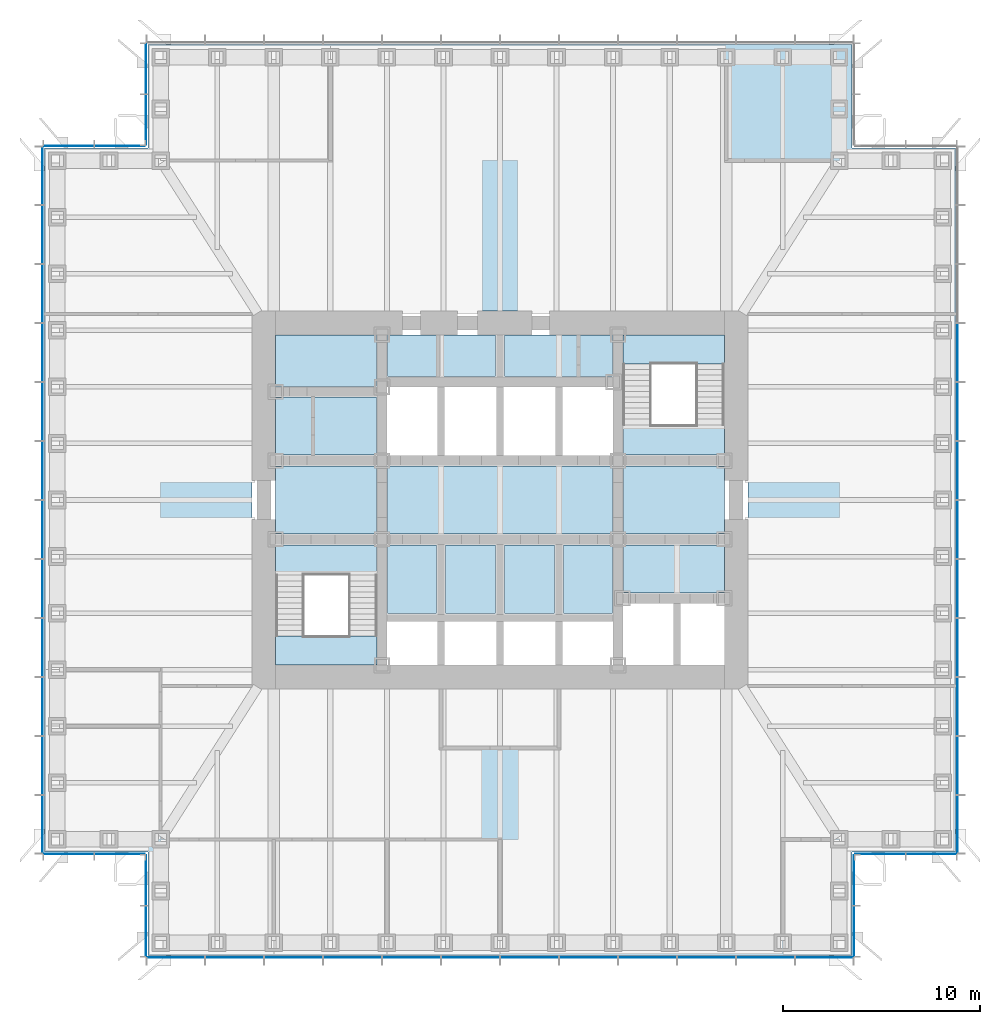
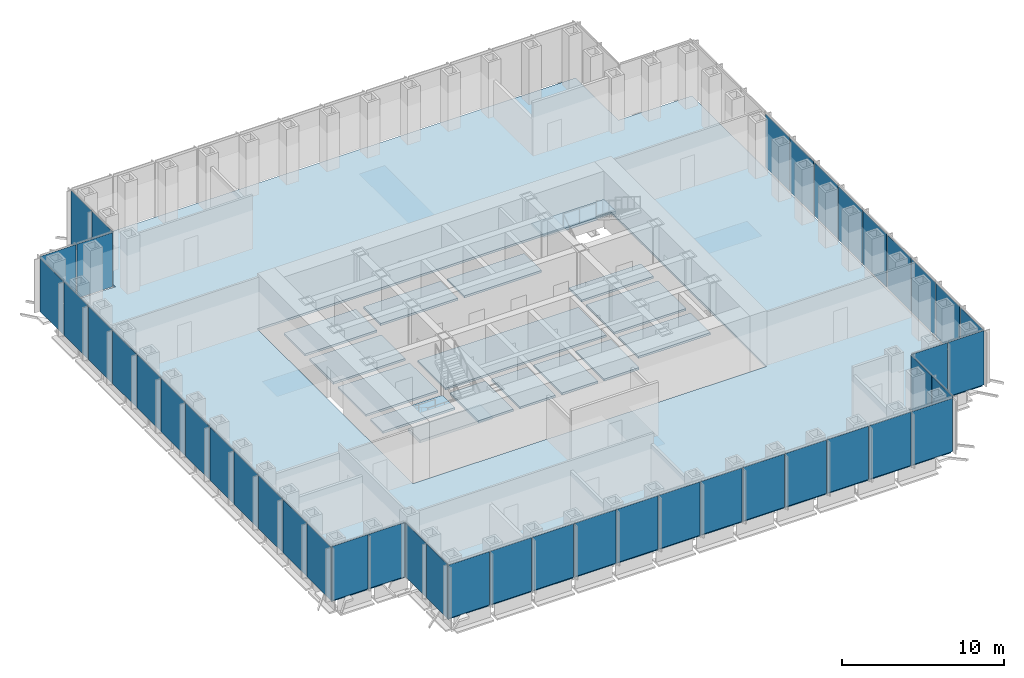
# One storey, part 7 of 17: 45 plates, 17 slabs, 11 elements without a shape of their own.
"""IFC4 building model written with IfcOpenShell, lengths in metres."""

from ifc_helpers import new_model, si_unit, direction, frame, origin, origin_2d, place, context, subcontext, project, spatial, polyline, rectangle, outline, extrude, material, layer, layer_set, type_object, element, aggregate, save


model = new_model("IFC4")

# Units and contexts
model_context = context("Model", 3, precision=1e-05, world=origin(), true_north=direction((0.0, 1.0)))
body_context = subcontext(model_context, "Body", "Model", "MODEL_VIEW")
ifc_project = project(units=[si_unit("LENGTHUNIT", "METRE"), si_unit("AREAUNIT", "SQUARE_METRE"), si_unit("VOLUMEUNIT", "CUBIC_METRE"), si_unit("PLANEANGLEUNIT", "RADIAN"), si_unit("MASSUNIT", "GRAM", prefix="KILO")], contexts=[model_context])

# Site, building, storey
site_placement = place(None, origin())
site = spatial("IfcSite", under=ifc_project, at=site_placement, CompositionType="ELEMENT")
building_placement = place(site_placement, origin())
building = spatial("IfcBuilding", under=site, at=building_placement, Name="Daluyong Arena Tower", CompositionType="ELEMENT")
storey_placement = place(building_placement, frame((0.0, 0.0, 112.300048828125)))
storey = spatial("IfcBuildingStorey", under=building, at=storey_placement, Name="L24", CompositionType="ELEMENT", Elevation=112.300048828125)

# Curtain wall, plates
ifc_material_1 = material(Name="Bronze anodised aluminium and glass", Category="aluminium")
curtain_wall_type_1 = type_object("IfcCurtainWallType", Name="Curtain wall CW2", PredefinedType="USERDEFINED", material=ifc_material_1)
curtain_wall_1_placement = place(storey_placement, origin())
curtain_wall_1 = element("IfcCurtainWall", 1, at=curtain_wall_1_placement, inside=storey, type_object=curtain_wall_type_1, Name="curtain wall L24 S", ObjectType="UNITISED CURTAIN WALL", PredefinedType="USERDEFINED")
ifc_material_2 = material(Name="Tinted double glazed unit", Category="glass")
ifc_layer_1 = layer(ifc_material_2, 0.031982421875)
ifc_layer_set_1 = layer_set([ifc_layer_1], Name="Tinted double glazed unit")
plate_type_1 = type_object("IfcPlateType", Name="CW2 panel 32", PredefinedType="CURTAIN_PANEL", material=ifc_layer_set_1)
plate_1_placement = place(storey_placement, frame((39.52001953125, 56.75, 0.0), z_axis=(0.0, 0.0, 1.0), x_axis=(1.0, 0.0, 0.0)))
plate_1 = element("IfcPlate", 2, at=plate_1_placement, type_object=plate_type_1, Name="curtain wall L24 S panel 1", PredefinedType="CURTAIN_PANEL", context=body_context, shape_type="SweptSolid", body=[
    extrude(rectangle(XDim=2.8798828125, YDim=0.031982421875, at=origin_2d()), origin(), (0.0, 0.0, 1.0), 4.02001953125),
])
plate_2_placement = place(storey_placement, frame((42.5, 56.75, 0.0), z_axis=(0.0, 0.0, 1.0), x_axis=(1.0, 0.0, 0.0)))
plate_2 = element("IfcPlate", 3, at=plate_2_placement, type_object=plate_type_1, Name="curtain wall L24 S panel 2", PredefinedType="CURTAIN_PANEL", context=body_context, shape_type="SweptSolid", body=[
    extrude(rectangle(XDim=2.919921875, YDim=0.031982421875, at=origin_2d()), origin(), (0.0, 0.0, 1.0), 4.02001953125),
])
plate_3_placement = place(storey_placement, frame((45.5, 56.75, 0.0), z_axis=(0.0, 0.0, 1.0), x_axis=(1.0, 0.0, 0.0)))
plate_3 = element("IfcPlate", 4, at=plate_3_placement, type_object=plate_type_1, Name="curtain wall L24 S panel 3", PredefinedType="CURTAIN_PANEL", context=body_context, shape_type="SweptSolid", body=[
    extrude(rectangle(XDim=2.919921875, YDim=0.031982421875, at=origin_2d()), origin(), (0.0, 0.0, 1.0), 4.02001953125),
])
plate_4_placement = place(storey_placement, frame((48.5, 56.75, 0.0), z_axis=(0.0, 0.0, 1.0), x_axis=(1.0, 0.0, 0.0)))
plate_4 = element("IfcPlate", 5, at=plate_4_placement, type_object=plate_type_1, Name="curtain wall L24 S panel 4", PredefinedType="CURTAIN_PANEL", context=body_context, shape_type="SweptSolid", body=[
    extrude(rectangle(XDim=2.919921875, YDim=0.031982421875, at=origin_2d()), origin(), (0.0, 0.0, 1.0), 4.02001953125),
])
plate_5_placement = place(storey_placement, frame((51.5, 56.75, 0.0), z_axis=(0.0, 0.0, 1.0), x_axis=(1.0, 0.0, 0.0)))
plate_5 = element("IfcPlate", 6, at=plate_5_placement, type_object=plate_type_1, Name="curtain wall L24 S panel 5", PredefinedType="CURTAIN_PANEL", context=body_context, shape_type="SweptSolid", body=[
    extrude(rectangle(XDim=2.919921875, YDim=0.031982421875, at=origin_2d()), origin(), (0.0, 0.0, 1.0), 4.02001953125),
])
plate_6_placement = place(storey_placement, frame((54.5, 56.75, 0.0), z_axis=(0.0, 0.0, 1.0), x_axis=(1.0, 0.0, 0.0)))
plate_6 = element("IfcPlate", 7, at=plate_6_placement, type_object=plate_type_1, Name="curtain wall L24 S panel 6", PredefinedType="CURTAIN_PANEL", context=body_context, shape_type="SweptSolid", body=[
    extrude(rectangle(XDim=2.919921875, YDim=0.031982421875, at=origin_2d()), origin(), (0.0, 0.0, 1.0), 4.02001953125),
])
plate_7_placement = place(storey_placement, frame((57.5, 56.75, 0.0), z_axis=(0.0, 0.0, 1.0), x_axis=(1.0, 0.0, 0.0)))
plate_7 = element("IfcPlate", 8, at=plate_7_placement, type_object=plate_type_1, Name="curtain wall L24 S panel 7", PredefinedType="CURTAIN_PANEL", context=body_context, shape_type="SweptSolid", body=[
    extrude(rectangle(XDim=2.919921875, YDim=0.031982421875, at=origin_2d()), origin(), (0.0, 0.0, 1.0), 4.02001953125),
])
plate_8_placement = place(storey_placement, frame((60.5, 56.75, 0.0), z_axis=(0.0, 0.0, 1.0), x_axis=(1.0, 0.0, 0.0)))
plate_8 = element("IfcPlate", 9, at=plate_8_placement, type_object=plate_type_1, Name="curtain wall L24 S panel 8", PredefinedType="CURTAIN_PANEL", context=body_context, shape_type="SweptSolid", body=[
    extrude(rectangle(XDim=2.919921875, YDim=0.031982421875, at=origin_2d()), origin(), (0.0, 0.0, 1.0), 4.02001953125),
])
plate_9_placement = place(storey_placement, frame((63.5, 56.75, 0.0), z_axis=(0.0, 0.0, 1.0), x_axis=(1.0, 0.0, 0.0)))
plate_9 = element("IfcPlate", 10, at=plate_9_placement, type_object=plate_type_1, Name="curtain wall L24 S panel 9", PredefinedType="CURTAIN_PANEL", context=body_context, shape_type="SweptSolid", body=[
    extrude(rectangle(XDim=2.919921875, YDim=0.031982421875, at=origin_2d()), origin(), (0.0, 0.0, 1.0), 4.02001953125),
])
plate_10_placement = place(storey_placement, frame((66.5, 56.75, 0.0), z_axis=(0.0, 0.0, 1.0), x_axis=(1.0, 0.0, 0.0)))
plate_10 = element("IfcPlate", 11, at=plate_10_placement, type_object=plate_type_1, Name="curtain wall L24 S panel 10", PredefinedType="CURTAIN_PANEL", context=body_context, shape_type="SweptSolid", body=[
    extrude(rectangle(XDim=2.919921875, YDim=0.031982421875, at=origin_2d()), origin(), (0.0, 0.0, 1.0), 4.02001953125),
])
plate_11_placement = place(storey_placement, frame((69.5, 56.75, 0.0), z_axis=(0.0, 0.0, 1.0), x_axis=(1.0, 0.0, 0.0)))
plate_11 = element("IfcPlate", 12, at=plate_11_placement, type_object=plate_type_1, Name="curtain wall L24 S panel 11", PredefinedType="CURTAIN_PANEL", context=body_context, shape_type="SweptSolid", body=[
    extrude(rectangle(XDim=2.919921875, YDim=0.031982421875, at=origin_2d()), origin(), (0.0, 0.0, 1.0), 4.02001953125),
])
plate_12_placement = place(storey_placement, frame((72.47998046875, 56.75, 0.0), z_axis=(0.0, 0.0, 1.0), x_axis=(1.0, 0.0, 0.0)))
plate_12 = element("IfcPlate", 13, at=plate_12_placement, type_object=plate_type_1, Name="curtain wall L24 S panel 12", PredefinedType="CURTAIN_PANEL", context=body_context, shape_type="SweptSolid", body=[
    extrude(rectangle(XDim=2.8798828125, YDim=0.031982421875, at=origin_2d()), origin(), (0.0, 0.0, 1.0), 4.02001953125),
])
aggregate(curtain_wall_1, [plate_1, plate_2, plate_3, plate_4, plate_5, plate_6, plate_7, plate_8, plate_9, plate_10, plate_11, plate_12])

curtain_wall_2_placement = place(storey_placement, origin())
curtain_wall_2 = element("IfcCurtainWall", 14, at=curtain_wall_2_placement, inside=storey, type_object=curtain_wall_type_1, Name="curtain wall L24 E", ObjectType="UNITISED CURTAIN WALL", PredefinedType="USERDEFINED")
plate_13_placement = place(storey_placement, frame((79.25, 63.52001953125, 0.0), z_axis=(0.0, 0.0, 1.0), x_axis=(0.0, 1.0, 0.0)))
plate_13 = element("IfcPlate", 15, at=plate_13_placement, type_object=plate_type_1, Name="curtain wall L24 E panel 1", PredefinedType="CURTAIN_PANEL", context=body_context, shape_type="SweptSolid", body=[
    extrude(rectangle(XDim=2.8798828125, YDim=0.031982421875, at=origin_2d()), origin(), (0.0, 0.0, 1.0), 4.02001953125),
])
plate_14_placement = place(storey_placement, frame((79.25, 66.5, 0.0), z_axis=(0.0, 0.0, 1.0), x_axis=(0.0, 1.0, 0.0)))
plate_14 = element("IfcPlate", 16, at=plate_14_placement, type_object=plate_type_1, Name="curtain wall L24 E panel 2", PredefinedType="CURTAIN_PANEL", context=body_context, shape_type="SweptSolid", body=[
    extrude(rectangle(XDim=2.919921875, YDim=0.031982421875, at=origin_2d()), origin(), (0.0, 0.0, 1.0), 4.02001953125),
])
plate_15_placement = place(storey_placement, frame((79.25, 69.5, 0.0), z_axis=(0.0, 0.0, 1.0), x_axis=(0.0, 1.0, 0.0)))
plate_15 = element("IfcPlate", 17, at=plate_15_placement, type_object=plate_type_1, Name="curtain wall L24 E panel 3", PredefinedType="CURTAIN_PANEL", context=body_context, shape_type="SweptSolid", body=[
    extrude(rectangle(XDim=2.919921875, YDim=0.031982421875, at=origin_2d()), origin(), (0.0, 0.0, 1.0), 4.02001953125),
])
plate_16_placement = place(storey_placement, frame((79.25, 72.5, 0.0), z_axis=(0.0, 0.0, 1.0), x_axis=(0.0, 1.0, 0.0)))
plate_16 = element("IfcPlate", 18, at=plate_16_placement, type_object=plate_type_1, Name="curtain wall L24 E panel 4", PredefinedType="CURTAIN_PANEL", context=body_context, shape_type="SweptSolid", body=[
    extrude(rectangle(XDim=2.919921875, YDim=0.031982421875, at=origin_2d()), origin(), (0.0, 0.0, 1.0), 4.02001953125),
])
plate_17_placement = place(storey_placement, frame((79.25, 75.5, 0.0), z_axis=(0.0, 0.0, 1.0), x_axis=(0.0, 1.0, 0.0)))
plate_17 = element("IfcPlate", 19, at=plate_17_placement, type_object=plate_type_1, Name="curtain wall L24 E panel 5", PredefinedType="CURTAIN_PANEL", context=body_context, shape_type="SweptSolid", body=[
    extrude(rectangle(XDim=2.919921875, YDim=0.031982421875, at=origin_2d()), origin(), (0.0, 0.0, 1.0), 4.02001953125),
])
plate_18_placement = place(storey_placement, frame((79.25, 78.5, 0.0), z_axis=(0.0, 0.0, 1.0), x_axis=(0.0, 1.0, 0.0)))
plate_18 = element("IfcPlate", 20, at=plate_18_placement, type_object=plate_type_1, Name="curtain wall L24 E panel 6", PredefinedType="CURTAIN_PANEL", context=body_context, shape_type="SweptSolid", body=[
    extrude(rectangle(XDim=2.919921875, YDim=0.031982421875, at=origin_2d()), origin(), (0.0, 0.0, 1.0), 4.02001953125),
])
plate_19_placement = place(storey_placement, frame((79.25, 81.5, 0.0), z_axis=(0.0, 0.0, 1.0), x_axis=(0.0, 1.0, 0.0)))
plate_19 = element("IfcPlate", 21, at=plate_19_placement, type_object=plate_type_1, Name="curtain wall L24 E panel 7", PredefinedType="CURTAIN_PANEL", context=body_context, shape_type="SweptSolid", body=[
    extrude(rectangle(XDim=2.919921875, YDim=0.031982421875, at=origin_2d()), origin(), (0.0, 0.0, 1.0), 4.02001953125),
])
plate_20_placement = place(storey_placement, frame((79.25, 84.5, 0.0), z_axis=(0.0, 0.0, 1.0), x_axis=(0.0, 1.0, 0.0)))
plate_20 = element("IfcPlate", 22, at=plate_20_placement, type_object=plate_type_1, Name="curtain wall L24 E panel 8", PredefinedType="CURTAIN_PANEL", context=body_context, shape_type="SweptSolid", body=[
    extrude(rectangle(XDim=2.919921875, YDim=0.031982421875, at=origin_2d()), origin(), (0.0, 0.0, 1.0), 4.02001953125),
])
plate_21_placement = place(storey_placement, frame((79.25, 87.5, 0.0), z_axis=(0.0, 0.0, 1.0), x_axis=(0.0, 1.0, 0.0)))
plate_21 = element("IfcPlate", 23, at=plate_21_placement, type_object=plate_type_1, Name="curtain wall L24 E panel 9", PredefinedType="CURTAIN_PANEL", context=body_context, shape_type="SweptSolid", body=[
    extrude(rectangle(XDim=2.919921875, YDim=0.031982421875, at=origin_2d()), origin(), (0.0, 0.0, 1.0), 4.02001953125),
])
aggregate(curtain_wall_2, [plate_13, plate_14, plate_15, plate_16, plate_17, plate_18, plate_19, plate_20, plate_21])

curtain_wall_3_placement = place(storey_placement, origin())
curtain_wall_3 = element("IfcCurtainWall", 24, at=curtain_wall_3_placement, inside=storey, type_object=curtain_wall_type_1, Name="curtain wall L24 W", ObjectType="UNITISED CURTAIN WALL", PredefinedType="USERDEFINED")
plate_22_placement = place(storey_placement, frame((32.75, 96.47998046875, 0.0), z_axis=(0.0, 0.0, 1.0), x_axis=(0.0, -1.0, 0.0)))
plate_22 = element("IfcPlate", 25, at=plate_22_placement, type_object=plate_type_1, Name="curtain wall L24 W panel 1", PredefinedType="CURTAIN_PANEL", context=body_context, shape_type="SweptSolid", body=[
    extrude(rectangle(XDim=2.8798828125, YDim=0.031982421875, at=origin_2d()), origin(), (0.0, 0.0, 1.0), 4.02001953125),
])
plate_23_placement = place(storey_placement, frame((32.75, 93.5, 0.0), z_axis=(0.0, 0.0, 1.0), x_axis=(0.0, -1.0, 0.0)))
plate_23 = element("IfcPlate", 26, at=plate_23_placement, type_object=plate_type_1, Name="curtain wall L24 W panel 2", PredefinedType="CURTAIN_PANEL", context=body_context, shape_type="SweptSolid", body=[
    extrude(rectangle(XDim=2.919921875, YDim=0.031982421875, at=origin_2d()), origin(), (0.0, 0.0, 1.0), 4.02001953125),
])
plate_24_placement = place(storey_placement, frame((32.75, 90.5, 0.0), z_axis=(0.0, 0.0, 1.0), x_axis=(0.0, -1.0, 0.0)))
plate_24 = element("IfcPlate", 27, at=plate_24_placement, type_object=plate_type_1, Name="curtain wall L24 W panel 3", PredefinedType="CURTAIN_PANEL", context=body_context, shape_type="SweptSolid", body=[
    extrude(rectangle(XDim=2.919921875, YDim=0.031982421875, at=origin_2d()), origin(), (0.0, 0.0, 1.0), 4.02001953125),
])
plate_25_placement = place(storey_placement, frame((32.75, 87.5, 0.0), z_axis=(0.0, 0.0, 1.0), x_axis=(0.0, -1.0, 0.0)))
plate_25 = element("IfcPlate", 28, at=plate_25_placement, type_object=plate_type_1, Name="curtain wall L24 W panel 4", PredefinedType="CURTAIN_PANEL", context=body_context, shape_type="SweptSolid", body=[
    extrude(rectangle(XDim=2.919921875, YDim=0.031982421875, at=origin_2d()), origin(), (0.0, 0.0, 1.0), 4.02001953125),
])
plate_26_placement = place(storey_placement, frame((32.75, 84.5, 0.0), z_axis=(0.0, 0.0, 1.0), x_axis=(0.0, -1.0, 0.0)))
plate_26 = element("IfcPlate", 29, at=plate_26_placement, type_object=plate_type_1, Name="curtain wall L24 W panel 5", PredefinedType="CURTAIN_PANEL", context=body_context, shape_type="SweptSolid", body=[
    extrude(rectangle(XDim=2.919921875, YDim=0.031982421875, at=origin_2d()), origin(), (0.0, 0.0, 1.0), 4.02001953125),
])
plate_27_placement = place(storey_placement, frame((32.75, 81.5, 0.0), z_axis=(0.0, 0.0, 1.0), x_axis=(0.0, -1.0, 0.0)))
plate_27 = element("IfcPlate", 30, at=plate_27_placement, type_object=plate_type_1, Name="curtain wall L24 W panel 6", PredefinedType="CURTAIN_PANEL", context=body_context, shape_type="SweptSolid", body=[
    extrude(rectangle(XDim=2.919921875, YDim=0.031982421875, at=origin_2d()), origin(), (0.0, 0.0, 1.0), 4.02001953125),
])
plate_28_placement = place(storey_placement, frame((32.75, 78.5, 0.0), z_axis=(0.0, 0.0, 1.0), x_axis=(0.0, -1.0, 0.0)))
plate_28 = element("IfcPlate", 31, at=plate_28_placement, type_object=plate_type_1, Name="curtain wall L24 W panel 7", PredefinedType="CURTAIN_PANEL", context=body_context, shape_type="SweptSolid", body=[
    extrude(rectangle(XDim=2.919921875, YDim=0.031982421875, at=origin_2d()), origin(), (0.0, 0.0, 1.0), 4.02001953125),
])
plate_29_placement = place(storey_placement, frame((32.75, 75.5, 0.0), z_axis=(0.0, 0.0, 1.0), x_axis=(0.0, -1.0, 0.0)))
plate_29 = element("IfcPlate", 32, at=plate_29_placement, type_object=plate_type_1, Name="curtain wall L24 W panel 8", PredefinedType="CURTAIN_PANEL", context=body_context, shape_type="SweptSolid", body=[
    extrude(rectangle(XDim=2.919921875, YDim=0.031982421875, at=origin_2d()), origin(), (0.0, 0.0, 1.0), 4.02001953125),
])
plate_30_placement = place(storey_placement, frame((32.75, 72.5, 0.0), z_axis=(0.0, 0.0, 1.0), x_axis=(0.0, -1.0, 0.0)))
plate_30 = element("IfcPlate", 33, at=plate_30_placement, type_object=plate_type_1, Name="curtain wall L24 W panel 9", PredefinedType="CURTAIN_PANEL", context=body_context, shape_type="SweptSolid", body=[
    extrude(rectangle(XDim=2.919921875, YDim=0.031982421875, at=origin_2d()), origin(), (0.0, 0.0, 1.0), 4.02001953125),
])
plate_31_placement = place(storey_placement, frame((32.75, 69.5, 0.0), z_axis=(0.0, 0.0, 1.0), x_axis=(0.0, -1.0, 0.0)))
plate_31 = element("IfcPlate", 34, at=plate_31_placement, type_object=plate_type_1, Name="curtain wall L24 W panel 10", PredefinedType="CURTAIN_PANEL", context=body_context, shape_type="SweptSolid", body=[
    extrude(rectangle(XDim=2.919921875, YDim=0.031982421875, at=origin_2d()), origin(), (0.0, 0.0, 1.0), 4.02001953125),
])
plate_32_placement = place(storey_placement, frame((32.75, 66.5, 0.0), z_axis=(0.0, 0.0, 1.0), x_axis=(0.0, -1.0, 0.0)))
plate_32 = element("IfcPlate", 35, at=plate_32_placement, type_object=plate_type_1, Name="curtain wall L24 W panel 11", PredefinedType="CURTAIN_PANEL", context=body_context, shape_type="SweptSolid", body=[
    extrude(rectangle(XDim=2.919921875, YDim=0.031982421875, at=origin_2d()), origin(), (0.0, 0.0, 1.0), 4.02001953125),
])
plate_33_placement = place(storey_placement, frame((32.75, 63.52001953125, 0.0), z_axis=(0.0, 0.0, 1.0), x_axis=(0.0, -1.0, 0.0)))
plate_33 = element("IfcPlate", 36, at=plate_33_placement, type_object=plate_type_1, Name="curtain wall L24 W panel 12", PredefinedType="CURTAIN_PANEL", context=body_context, shape_type="SweptSolid", body=[
    extrude(rectangle(XDim=2.8798828125, YDim=0.031982421875, at=origin_2d()), origin(), (0.0, 0.0, 1.0), 4.02001953125),
])
aggregate(curtain_wall_3, [plate_22, plate_23, plate_24, plate_25, plate_26, plate_27, plate_28, plate_29, plate_30, plate_31, plate_32, plate_33])

ifc_material_3 = material(Name="Bronze anodised aluminium and glass", Category="aluminium")
curtain_wall_type_2 = type_object("IfcCurtainWallType", Name="Curtain wall CW7", PredefinedType="USERDEFINED", material=ifc_material_3)
curtain_wall_4_placement = place(storey_placement, origin())
curtain_wall_4 = element("IfcCurtainWall", 37, at=curtain_wall_4_placement, inside=storey, type_object=curtain_wall_type_2, Name="curtain wall L24 SE-E", ObjectType="UNITISED CURTAIN WALL", PredefinedType="USERDEFINED")
ifc_material_4 = material(Name="Tinted double glazed unit", Category="glass")
ifc_layer_2 = layer(ifc_material_4, 0.028076171875)
ifc_layer_set_2 = layer_set([ifc_layer_2], Name="Tinted double glazed unit")
plate_type_2 = type_object("IfcPlateType", Name="CW7 panel 28", PredefinedType="CURTAIN_PANEL", material=ifc_layer_set_2)
plate_34_placement = place(storey_placement, frame((74.0, 58.077392578125, 0.0), z_axis=(0.0, 0.0, 1.0), x_axis=(0.0, 1.0, 0.0)))
plate_34 = element("IfcPlate", 38, at=plate_34_placement, type_object=plate_type_2, Name="curtain wall L24 SE-E panel 1", PredefinedType="CURTAIN_PANEL", context=body_context, shape_type="SweptSolid", body=[
    extrude(rectangle(XDim=2.534912109375, YDim=0.028076171875, at=origin_2d()), origin(), (0.0, 0.0, 1.0), 4.080078125),
])
plate_35_placement = place(storey_placement, frame((74.0, 60.672607421875, 0.0), z_axis=(0.0, 0.0, 1.0), x_axis=(0.0, 1.0, 0.0)))
plate_35 = element("IfcPlate", 39, at=plate_35_placement, type_object=plate_type_2, Name="curtain wall L24 SE-E panel 2", PredefinedType="CURTAIN_PANEL", context=body_context, shape_type="SweptSolid", body=[
    extrude(rectangle(XDim=2.534912109375, YDim=0.028076171875, at=origin_2d()), origin(), (0.0, 0.0, 1.0), 4.080078125),
])
aggregate(curtain_wall_4, [plate_34, plate_35])

curtain_wall_5_placement = place(storey_placement, origin())
curtain_wall_5 = element("IfcCurtainWall", 40, at=curtain_wall_5_placement, inside=storey, type_object=curtain_wall_type_2, Name="curtain wall L24 SE-S", ObjectType="UNITISED CURTAIN WALL", PredefinedType="USERDEFINED")
plate_36_placement = place(storey_placement, frame((75.327392578125, 62.0, 0.0), z_axis=(0.0, 0.0, 1.0), x_axis=(1.0, 0.0, 0.0)))
plate_36 = element("IfcPlate", 41, at=plate_36_placement, type_object=plate_type_2, Name="curtain wall L24 SE-S panel 1", PredefinedType="CURTAIN_PANEL", context=body_context, shape_type="SweptSolid", body=[
    extrude(rectangle(XDim=2.534912109375, YDim=0.028076171875, at=origin_2d()), origin(), (0.0, 0.0, 1.0), 4.080078125),
])
plate_37_placement = place(storey_placement, frame((77.922607421875, 62.0, 0.0), z_axis=(0.0, 0.0, 1.0), x_axis=(1.0, 0.0, 0.0)))
plate_37 = element("IfcPlate", 42, at=plate_37_placement, type_object=plate_type_2, Name="curtain wall L24 SE-S panel 2", PredefinedType="CURTAIN_PANEL", context=body_context, shape_type="SweptSolid", body=[
    extrude(rectangle(XDim=2.534912109375, YDim=0.028076171875, at=origin_2d()), origin(), (0.0, 0.0, 1.0), 4.080078125),
])
aggregate(curtain_wall_5, [plate_36, plate_37])

curtain_wall_6_placement = place(storey_placement, origin())
curtain_wall_6 = element("IfcCurtainWall", 43, at=curtain_wall_6_placement, inside=storey, type_object=curtain_wall_type_2, Name="curtain wall L24 NW-W", ObjectType="UNITISED CURTAIN WALL", PredefinedType="USERDEFINED")
plate_38_placement = place(storey_placement, frame((38.0, 101.922607421875, 0.0), z_axis=(0.0, 0.0, 1.0), x_axis=(0.0, -1.0, 0.0)))
plate_38 = element("IfcPlate", 44, at=plate_38_placement, type_object=plate_type_2, Name="curtain wall L24 NW-W panel 1", PredefinedType="CURTAIN_PANEL", context=body_context, shape_type="SweptSolid", body=[
    extrude(rectangle(XDim=2.534912109375, YDim=0.028076171875, at=origin_2d()), origin(), (0.0, 0.0, 1.0), 4.080078125),
])
plate_39_placement = place(storey_placement, frame((38.0, 99.327392578125, 0.0), z_axis=(0.0, 0.0, 1.0), x_axis=(0.0, -1.0, 0.0)))
plate_39 = element("IfcPlate", 45, at=plate_39_placement, type_object=plate_type_2, Name="curtain wall L24 NW-W panel 2", PredefinedType="CURTAIN_PANEL", context=body_context, shape_type="SweptSolid", body=[
    extrude(rectangle(XDim=2.534912109375, YDim=0.028076171875, at=origin_2d()), origin(), (0.0, 0.0, 1.0), 4.080078125),
])
aggregate(curtain_wall_6, [plate_38, plate_39])

curtain_wall_7_placement = place(storey_placement, origin())
curtain_wall_7 = element("IfcCurtainWall", 46, at=curtain_wall_7_placement, inside=storey, type_object=curtain_wall_type_2, Name="curtain wall L24 NW-N", ObjectType="UNITISED CURTAIN WALL", PredefinedType="USERDEFINED")
plate_40_placement = place(storey_placement, frame((36.672607421875, 98.0, 0.0), z_axis=(0.0, 0.0, 1.0), x_axis=(-1.0, 0.0, 0.0)))
plate_40 = element("IfcPlate", 47, at=plate_40_placement, type_object=plate_type_2, Name="curtain wall L24 NW-N panel 1", PredefinedType="CURTAIN_PANEL", context=body_context, shape_type="SweptSolid", body=[
    extrude(rectangle(XDim=2.534912109375, YDim=0.028076171875, at=origin_2d()), origin(), (0.0, 0.0, 1.0), 4.080078125),
])
plate_41_placement = place(storey_placement, frame((34.077392578125, 98.0, 0.0), z_axis=(0.0, 0.0, 1.0), x_axis=(-1.0, 0.0, 0.0)))
plate_41 = element("IfcPlate", 48, at=plate_41_placement, type_object=plate_type_2, Name="curtain wall L24 NW-N panel 2", PredefinedType="CURTAIN_PANEL", context=body_context, shape_type="SweptSolid", body=[
    extrude(rectangle(XDim=2.534912109375, YDim=0.028076171875, at=origin_2d()), origin(), (0.0, 0.0, 1.0), 4.080078125),
])
aggregate(curtain_wall_7, [plate_40, plate_41])

curtain_wall_8_placement = place(storey_placement, origin())
curtain_wall_8 = element("IfcCurtainWall", 49, at=curtain_wall_8_placement, inside=storey, type_object=curtain_wall_type_2, Name="curtain wall L24 SW-S", ObjectType="UNITISED CURTAIN WALL", PredefinedType="USERDEFINED")
plate_42_placement = place(storey_placement, frame((34.077392578125, 62.0, 0.0), z_axis=(0.0, 0.0, 1.0), x_axis=(1.0, 0.0, 0.0)))
plate_42 = element("IfcPlate", 50, at=plate_42_placement, type_object=plate_type_2, Name="curtain wall L24 SW-S panel 1", PredefinedType="CURTAIN_PANEL", context=body_context, shape_type="SweptSolid", body=[
    extrude(rectangle(XDim=2.534912109375, YDim=0.028076171875, at=origin_2d()), origin(), (0.0, 0.0, 1.0), 4.080078125),
])
plate_43_placement = place(storey_placement, frame((36.672607421875, 62.0, 0.0), z_axis=(0.0, 0.0, 1.0), x_axis=(1.0, 0.0, 0.0)))
plate_43 = element("IfcPlate", 51, at=plate_43_placement, type_object=plate_type_2, Name="curtain wall L24 SW-S panel 2", PredefinedType="CURTAIN_PANEL", context=body_context, shape_type="SweptSolid", body=[
    extrude(rectangle(XDim=2.534912109375, YDim=0.028076171875, at=origin_2d()), origin(), (0.0, 0.0, 1.0), 4.080078125),
])
aggregate(curtain_wall_8, [plate_42, plate_43])

curtain_wall_9_placement = place(storey_placement, origin())
curtain_wall_9 = element("IfcCurtainWall", 52, at=curtain_wall_9_placement, inside=storey, type_object=curtain_wall_type_2, Name="curtain wall L24 SW-W", ObjectType="UNITISED CURTAIN WALL", PredefinedType="USERDEFINED")
plate_44_placement = place(storey_placement, frame((38.0, 60.672607421875, 0.0), z_axis=(0.0, 0.0, 1.0), x_axis=(0.0, -1.0, 0.0)))
plate_44 = element("IfcPlate", 53, at=plate_44_placement, type_object=plate_type_2, Name="curtain wall L24 SW-W panel 1", PredefinedType="CURTAIN_PANEL", context=body_context, shape_type="SweptSolid", body=[
    extrude(rectangle(XDim=2.534912109375, YDim=0.028076171875, at=origin_2d()), origin(), (0.0, 0.0, 1.0), 4.080078125),
])
plate_45_placement = place(storey_placement, frame((38.0, 58.077392578125, 0.0), z_axis=(0.0, 0.0, 1.0), x_axis=(0.0, -1.0, 0.0)))
plate_45 = element("IfcPlate", 54, at=plate_45_placement, type_object=plate_type_2, Name="curtain wall L24 SW-W panel 2", PredefinedType="CURTAIN_PANEL", context=body_context, shape_type="SweptSolid", body=[
    extrude(rectangle(XDim=2.534912109375, YDim=0.028076171875, at=origin_2d()), origin(), (0.0, 0.0, 1.0), 4.080078125),
])
aggregate(curtain_wall_9, [plate_44, plate_45])

# Stair, slab
ifc_material_5 = material(Name="Concrete fc' 35 MPa", Category="concrete")
stair_type = type_object("IfcStairType", Name="Core exit stair", PredefinedType="HALF_TURN_STAIR", material=ifc_material_5)
stair_1_placement = place(storey_placement, origin())
stair_1 = element("IfcStair", 55, at=stair_1_placement, inside=storey, type_object=stair_type, Name="exit stair A L24", PredefinedType="HALF_TURN_STAIR")
ifc_material_6 = material(Name="Concrete fc' 35 MPa", Category="concrete")
ifc_layer_3 = layer(ifc_material_6, 0.199951171875)
ifc_layer_set_3 = layer_set([ifc_layer_3], Name="Concrete fc' 35 MPa")
slab_type_1 = type_object("IfcSlabType", Name="Stair landing 200", PredefinedType="LANDING", material=ifc_layer_set_3)
slab_1_placement = place(storey_placement, frame((0.0, 0.0, 1.89990234375)))
slab_1 = element("IfcSlab", 56, at=slab_1_placement, type_object=slab_type_1, Name="STA landing 1", PredefinedType="LANDING", context=body_context, shape_type="SweptSolid", body=[
    extrude(outline(polyline([(44.60009765625, 71.60009765625), (49.75, 71.60009765625), (49.75, 73.094970703125), (44.60009765625, 73.094970703125), (44.60009765625, 71.60009765625)])), origin(), (0.0, 0.0, 1.0), 0.199951171875),
])
aggregate(stair_1, [slab_1])

stair_2_placement = place(storey_placement, origin())
stair_2 = element("IfcStair", 57, at=stair_2_placement, inside=storey, type_object=stair_type, Name="exit stair B L24", PredefinedType="HALF_TURN_STAIR")
slab_2_placement = place(storey_placement, frame((0.0, 0.0, 1.89990234375)))
slab_2 = element("IfcSlab", 58, at=slab_2_placement, type_object=slab_type_1, Name="STB landing 1", PredefinedType="LANDING", context=body_context, shape_type="SweptSolid", body=[
    extrude(outline(polyline([(62.25, 86.905029296875), (67.39990234375, 86.905029296875), (67.39990234375, 88.39990234375), (62.25, 88.39990234375), (62.25, 86.905029296875)])), origin(), (0.0, 0.0, 1.0), 0.199951171875),
])
aggregate(stair_2, [slab_2])

# Slabs
ifc_material_7 = material(Name="Concrete fc' 35 MPa", Category="concrete")
ifc_layer_4 = layer(ifc_material_7, 0.159912109375)
ifc_layer_set_4 = layer_set([ifc_layer_4], Name="Concrete fc' 35 MPa")
slab_type_2 = type_object("IfcSlabType", Name="Tower floor slab 160", PredefinedType="FLOOR", material=ifc_layer_set_4)
slab_3_placement = place(storey_placement, frame((0.0, 0.0, -0.16015625)))
element("IfcSlab", 59, at=slab_3_placement, inside=storey, type_object=slab_type_2, Name="floor L24 part 1", PredefinedType="FLOOR", context=body_context, shape_type="SweptSolid", body=[
    extrude(outline(polyline([(49.72509765625, 76.175048828125), (49.72509765625, 77.72509765625), (44.60009765625, 77.72509765625), (44.60009765625, 76.175048828125), (49.72509765625, 76.175048828125)])), origin(), (0.0, 0.0, 1.0), 0.16015625),
])
slab_4_placement = place(storey_placement, frame((0.0, 0.0, -0.16015625)))
element("IfcSlab", 60, at=slab_4_placement, inside=storey, type_object=slab_type_2, Name="floor L24 part 2", PredefinedType="FLOOR", context=body_context, shape_type="SweptSolid", body=[
    extrude(outline(polyline([(44.60009765625, 78.27490234375), (49.72509765625, 78.27490234375), (49.72509765625, 81.72509765625), (44.60009765625, 81.72509765625), (44.60009765625, 78.27490234375)])), origin(), (0.0, 0.0, 1.0), 0.16015625),
])
slab_5_placement = place(storey_placement, frame((0.0, 0.0, -0.16015625)))
element("IfcSlab", 61, at=slab_5_placement, inside=storey, type_object=slab_type_2, Name="floor L24 part 3", PredefinedType="FLOOR", context=body_context, shape_type="SweptSolid", body=[
    extrude(outline(polyline([(44.60009765625, 82.27490234375), (49.72509765625, 82.27490234375), (49.72509765625, 85.22509765625), (44.60009765625, 85.22509765625), (44.60009765625, 82.27490234375)])), origin(), (0.0, 0.0, 1.0), 0.16015625),
])
slab_6_placement = place(storey_placement, frame((0.0, 0.0, -0.16015625)))
element("IfcSlab", 62, at=slab_6_placement, inside=storey, type_object=slab_type_2, Name="floor L24 part 4", PredefinedType="FLOOR", context=body_context, shape_type="SweptSolid", body=[
    extrude(outline(polyline([(49.72509765625, 88.39990234375), (44.60009765625, 88.39990234375), (44.60009765625, 85.77490234375), (49.72509765625, 85.77490234375), (49.72509765625, 88.39990234375)])), origin(), (0.0, 0.0, 1.0), 0.16015625),
])
slab_7_placement = place(storey_placement, frame((0.0, 0.0, -0.16015625)))
element("IfcSlab", 63, at=slab_7_placement, inside=storey, type_object=slab_type_2, Name="floor L24 part 5", PredefinedType="FLOOR", context=body_context, shape_type="SweptSolid", body=[
    extrude(outline(polyline([(52.77490234375, 77.72509765625), (50.27490234375, 77.72509765625), (50.27490234375, 74.22509765625), (52.77490234375, 74.22509765625), (52.77490234375, 77.72509765625)])), origin(), (0.0, 0.0, 1.0), 0.16015625),
])
slab_8_placement = place(storey_placement, frame((0.0, 0.0, -0.16015625)))
element("IfcSlab", 64, at=slab_8_placement, inside=storey, type_object=slab_type_2, Name="floor L24 part 6", PredefinedType="FLOOR", context=body_context, shape_type="SweptSolid", body=[
    extrude(outline(polyline([(55.77490234375, 88.39990234375), (50.27490234375, 88.39990234375), (50.27490234375, 86.27490234375), (55.77490234375, 86.27490234375), (55.77490234375, 88.39990234375)])), origin(), (0.0, 0.0, 1.0), 0.16015625),
])
slab_9_placement = place(storey_placement, frame((0.0, 0.0, -0.16015625)))
element("IfcSlab", 65, at=slab_9_placement, inside=storey, type_object=slab_type_2, Name="floor L24 part 7", PredefinedType="FLOOR", context=body_context, shape_type="SweptSolid", body=[
    extrude(outline(polyline([(55.77490234375, 77.72509765625), (53.22509765625, 77.72509765625), (53.22509765625, 74.22509765625), (55.77490234375, 74.22509765625), (55.77490234375, 77.72509765625)])), origin(), (0.0, 0.0, 1.0), 0.16015625),
])
slab_10_placement = place(storey_placement, frame((0.0, 0.0, -0.16015625)))
element("IfcSlab", 66, at=slab_10_placement, inside=storey, type_object=slab_type_2, Name="floor L24 part 8", PredefinedType="FLOOR", context=body_context, shape_type="SweptSolid", body=[
    extrude(outline(polyline([(38.10009765625, 62.10009765625), (38.10009765625, 56.85009765625), (73.89990234375, 56.85009765625), (73.89990234375, 62.10009765625), (79.14990234375, 62.10009765625), (79.14990234375, 97.89990234375), (73.89990234375, 97.89990234375), (73.89990234375, 103.14990234375), (38.10009765625, 103.14990234375), (38.10009765625, 97.89990234375), (32.85009765625, 97.89990234375), (32.85009765625, 62.10009765625), (38.10009765625, 62.10009765625)]), holes=[polyline([(68.60009765625, 89.60009765625), (68.60009765625, 70.39990234375), (43.39990234375, 70.39990234375), (43.39990234375, 89.60009765625), (68.60009765625, 89.60009765625)])]), origin(), (0.0, 0.0, 1.0), 0.16015625),
])
slab_11_placement = place(storey_placement, frame((0.0, 0.0, -0.16015625)))
element("IfcSlab", 67, at=slab_11_placement, inside=storey, type_object=slab_type_2, Name="floor L24 part 9", PredefinedType="FLOOR", context=body_context, shape_type="SweptSolid", body=[
    extrude(outline(polyline([(61.72509765625, 78.27490234375), (61.72509765625, 81.72509765625), (50.27490234375, 81.72509765625), (50.27490234375, 78.27490234375), (61.72509765625, 78.27490234375)])), origin(), (0.0, 0.0, 1.0), 0.16015625),
])
slab_12_placement = place(storey_placement, frame((0.0, 0.0, -0.16015625)))
element("IfcSlab", 68, at=slab_12_placement, inside=storey, type_object=slab_type_2, Name="floor L24 part 10", PredefinedType="FLOOR", context=body_context, shape_type="SweptSolid", body=[
    extrude(outline(polyline([(58.77490234375, 77.72509765625), (56.22509765625, 77.72509765625), (56.22509765625, 74.22509765625), (58.77490234375, 74.22509765625), (58.77490234375, 77.72509765625)])), origin(), (0.0, 0.0, 1.0), 0.16015625),
])
slab_13_placement = place(storey_placement, frame((0.0, 0.0, -0.16015625)))
element("IfcSlab", 69, at=slab_13_placement, inside=storey, type_object=slab_type_2, Name="floor L24 part 11", PredefinedType="FLOOR", context=body_context, shape_type="SweptSolid", body=[
    extrude(outline(polyline([(56.22509765625, 88.39990234375), (56.22509765625, 86.27490234375), (61.72509765625, 86.27490234375), (61.72509765625, 88.39990234375), (56.22509765625, 88.39990234375)])), origin(), (0.0, 0.0, 1.0), 0.16015625),
])
slab_14_placement = place(storey_placement, frame((0.0, 0.0, -0.16015625)))
element("IfcSlab", 70, at=slab_14_placement, inside=storey, type_object=slab_type_2, Name="floor L24 part 12", PredefinedType="FLOOR", context=body_context, shape_type="SweptSolid", body=[
    extrude(outline(polyline([(59.22509765625, 77.72509765625), (59.22509765625, 74.22509765625), (61.72509765625, 74.22509765625), (61.72509765625, 77.72509765625), (59.22509765625, 77.72509765625)])), origin(), (0.0, 0.0, 1.0), 0.16015625),
])
slab_15_placement = place(storey_placement, frame((0.0, 0.0, -0.16015625)))
element("IfcSlab", 71, at=slab_15_placement, inside=storey, type_object=slab_type_2, Name="floor L24 part 13", PredefinedType="FLOOR", context=body_context, shape_type="SweptSolid", body=[
    extrude(outline(polyline([(62.27490234375, 75.27490234375), (67.39990234375, 75.27490234375), (67.39990234375, 77.72509765625), (62.27490234375, 77.72509765625), (62.27490234375, 75.27490234375)])), origin(), (0.0, 0.0, 1.0), 0.16015625),
])
slab_16_placement = place(storey_placement, frame((0.0, 0.0, -0.16015625)))
element("IfcSlab", 72, at=slab_16_placement, inside=storey, type_object=slab_type_2, Name="floor L24 part 14", PredefinedType="FLOOR", context=body_context, shape_type="SweptSolid", body=[
    extrude(outline(polyline([(62.27490234375, 78.27490234375), (67.39990234375, 78.27490234375), (67.39990234375, 81.72509765625), (62.27490234375, 81.72509765625), (62.27490234375, 78.27490234375)])), origin(), (0.0, 0.0, 1.0), 0.16015625),
])
slab_17_placement = place(storey_placement, frame((0.0, 0.0, -0.16015625)))
element("IfcSlab", 73, at=slab_17_placement, inside=storey, type_object=slab_type_2, Name="floor L24 part 15", PredefinedType="FLOOR", context=body_context, shape_type="SweptSolid", body=[
    extrude(outline(polyline([(62.27490234375, 82.27490234375), (67.39990234375, 82.27490234375), (67.39990234375, 83.824951171875), (62.27490234375, 83.824951171875), (62.27490234375, 82.27490234375)])), origin(), (0.0, 0.0, 1.0), 0.16015625),
])

save(model, "model.ifc")
